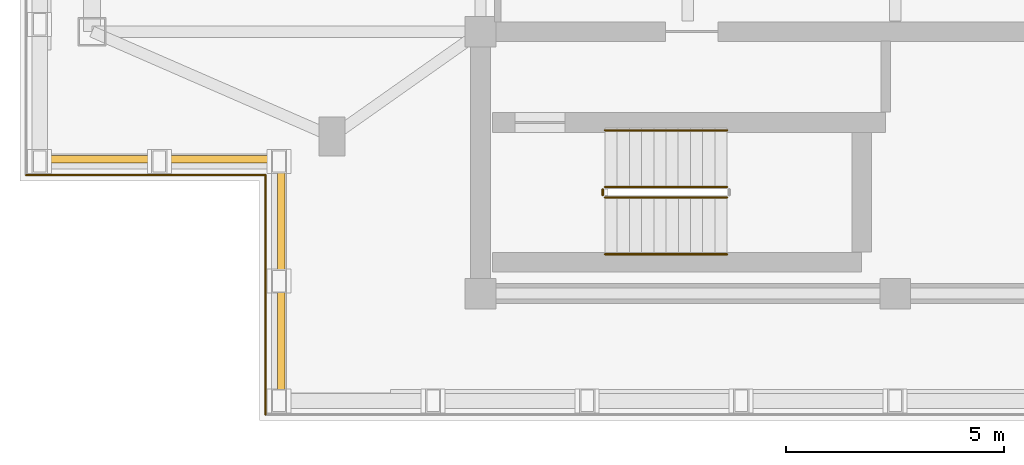
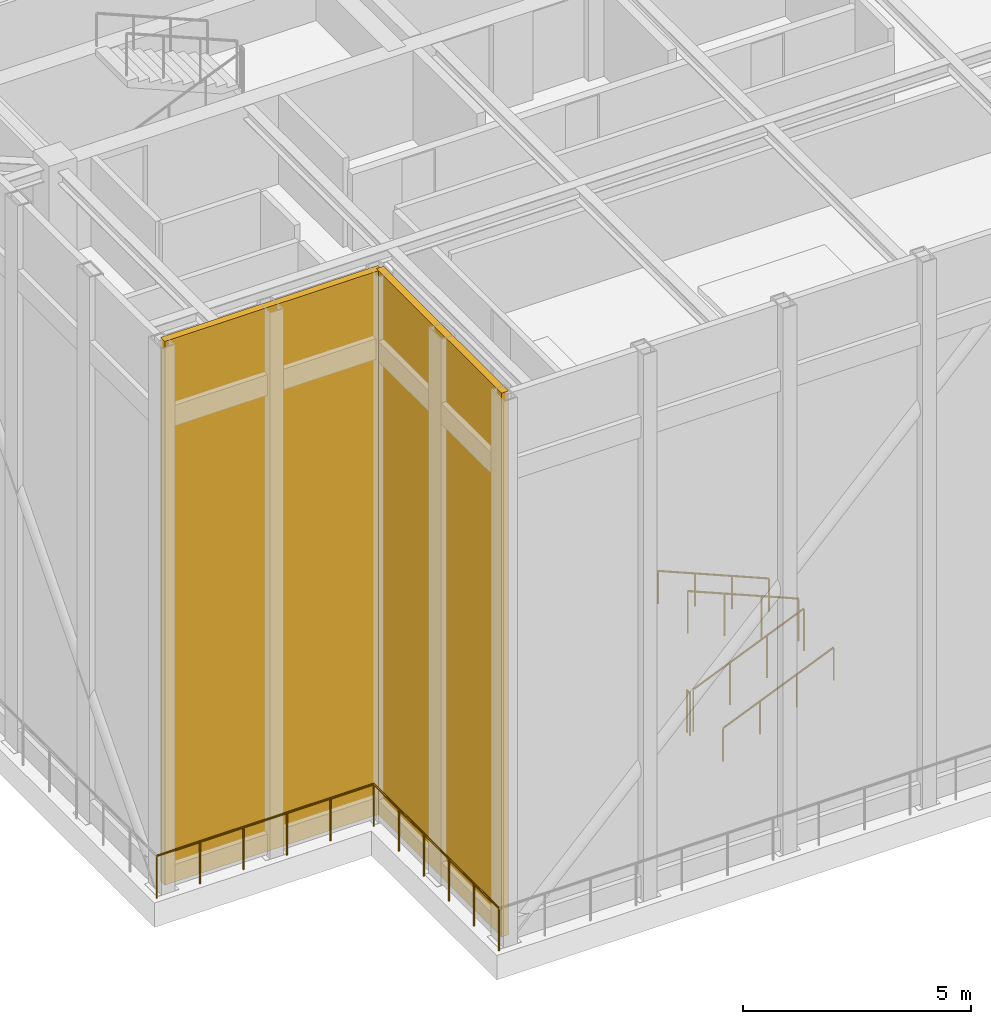
# One storey, part 5 of 8: 7 railings, 2 shading devices.
"""IFC4 building model written with IfcOpenShell, lengths in metres."""

from ifc_helpers import new_model, si_unit, direction, frame, frame_2d, origin, origin_2d, place, context, subcontext, project, spatial, rectangle, circle, extrude, material, layer, layer_set, type_object, element, save


model = new_model("IFC4")

# Units and contexts
model_context = context("Model", 3, precision=1e-05, world=origin(), true_north=direction((0.0, 1.0)))
body_context = subcontext(model_context, "Body", "Model", "MODEL_VIEW")
ifc_project = project(units=[si_unit("LENGTHUNIT", "METRE"), si_unit("AREAUNIT", "SQUARE_METRE"), si_unit("VOLUMEUNIT", "CUBIC_METRE"), si_unit("PLANEANGLEUNIT", "RADIAN"), si_unit("MASSUNIT", "GRAM", prefix="KILO")], contexts=[model_context])

# Site, building, storey
site_placement = place(None, origin())
site = spatial("IfcSite", under=ifc_project, at=site_placement, CompositionType="ELEMENT")
building_placement = place(site_placement, origin())
building = spatial("IfcBuilding", under=site, at=building_placement, Name="Mirazonda Arch Towers", CompositionType="ELEMENT")
storey_placement = place(building_placement, frame((0.0, 0.0, 263.5)))
storey = spatial("IfcBuildingStorey", under=building, at=storey_placement, Name="L75", CompositionType="ELEMENT", Elevation=263.5)

# Railings
ifc_material_1 = material(Name="Architectural Brushed Steel S355", Category="steel")
railing_type_1 = type_object("IfcRailingType", Name="GUARD-EXT-1150", PredefinedType="GUARDRAIL", material=ifc_material_1)
railing_1_placement = place(storey_placement, frame((0.590087890625, 15.114990234375, 0.0)))
element("IfcRailing", 1, at=railing_1_placement, inside=storey, type_object=railing_type_1, Name="L75 L75 Crown Plant Deck Perimeter Guard 11", PredefinedType="GUARDRAIL", context=body_context, shape_type="SweptSolid", body=[
    extrude(circle(Radius=0.02392578125, at=origin_2d()), frame((0.0, 0.0, 1.1259765625), z_axis=(1.0, 0.0, 0.0), x_axis=(0.0, 1.0, 0.0)), (0.0, 0.0, 1.0), 5.48486328125),
    extrude(circle(Radius=0.02099609375, at=origin_2d()), origin(), (0.0, 0.0, 1.0), 1.101806640625),
    extrude(circle(Radius=0.02099609375, at=origin_2d()), frame((1.096923828125, 0.0, 0.0)), (0.0, 0.0, 1.0), 1.101806640625),
    extrude(circle(Radius=0.02099609375, at=origin_2d()), frame((2.19384765625, 0.0, 0.0)), (0.0, 0.0, 1.0), 1.101806640625),
    extrude(circle(Radius=0.02099609375, at=origin_2d()), frame((3.291015625, 0.0, 0.0)), (0.0, 0.0, 1.0), 1.101806640625),
    extrude(circle(Radius=0.02099609375, at=origin_2d()), frame((4.387939453125, 0.0, 0.0)), (0.0, 0.0, 1.0), 1.101806640625),
    extrude(circle(Radius=0.02099609375, at=origin_2d()), frame((5.48486328125, 0.0, 0.0)), (0.0, 0.0, 1.0), 1.101806640625),
])
railing_2_placement = place(storey_placement, frame((6.074951171875, 15.114990234375, 0.0)))
element("IfcRailing", 2, at=railing_2_placement, inside=storey, type_object=railing_type_1, Name="L75 L75 Crown Plant Deck Perimeter Guard 12", PredefinedType="GUARDRAIL", context=body_context, shape_type="SweptSolid", body=[
    extrude(circle(Radius=0.02392578125, at=origin_2d()), frame((0.0, 0.0, 1.1259765625), z_axis=(0.0, -1.0, 0.0), x_axis=(1.0, 0.0, 0.0)), (0.0, 0.0, 1.0), 5.485107421875),
    extrude(circle(Radius=0.02099609375, at=origin_2d()), origin(), (0.0, 0.0, 1.0), 1.101806640625),
    extrude(circle(Radius=0.02099609375, at=origin_2d()), frame((0.0, -1.096923828125, 0.0)), (0.0, 0.0, 1.0), 1.101806640625),
    extrude(circle(Radius=0.02099609375, at=origin_2d()), frame((0.0, -2.194091796875, 0.0)), (0.0, 0.0, 1.0), 1.101806640625),
    extrude(circle(Radius=0.02099609375, at=origin_2d()), frame((0.0, -3.291015625, 0.0)), (0.0, 0.0, 1.0), 1.101806640625),
    extrude(circle(Radius=0.02099609375, at=origin_2d()), frame((0.0, -4.38818359375, 0.0)), (0.0, 0.0, 1.0), 1.101806640625),
    extrude(circle(Radius=0.02099609375, at=origin_2d()), frame((0.0, -5.485107421875, 0.0)), (0.0, 0.0, 1.0), 1.101806640625),
])
railing_type_2 = type_object("IfcRailingType", Name="GUARD-STAIR-1120", PredefinedType="GUARDRAIL", material=ifc_material_1)
railing_3_placement = place(storey_placement, frame((13.85009765625, 14.60009765625, 0.1181640625)))
element("IfcRailing", 3, at=railing_3_placement, inside=storey, type_object=railing_type_2, Name="L75 ST-T1S stair guard 1", PredefinedType="GUARDRAIL", context=body_context, shape_type="SweptSolid", body=[
    extrude(circle(Radius=0.02392578125, at=origin_2d()), frame((0.0, 0.0, 1.1259765625), z_axis=(0.921279625293, 0.0, 0.388900825431), x_axis=(0.0, 1.0, 0.0)), (0.0, 0.0, 1.0), 3.0390625),
    extrude(circle(Radius=0.02099609375, at=origin_2d()), origin(), (0.0, 0.0, 1.0), 1.101806640625),
    extrude(circle(Radius=0.02099609375, at=origin_2d()), frame((0.933349609375, 0.0, 0.39404296875)), (0.0, 0.0, 1.0), 1.101806640625),
    extrude(circle(Radius=0.02099609375, at=origin_2d()), frame((1.866455078125, 0.0, 0.787841796875)), (0.0, 0.0, 1.0), 1.101806640625),
    extrude(circle(Radius=0.02099609375, at=origin_2d()), frame((2.7998046875, 0.0, 1.181884765625)), (0.0, 0.0, 1.0), 1.101806640625),
])
railing_4_placement = place(storey_placement, frame((16.64990234375, 14.840087890625, 1.418212890625)))
element("IfcRailing", 4, at=railing_4_placement, inside=storey, type_object=railing_type_2, Name="L75 ST-T1S stair guard 3", PredefinedType="GUARDRAIL", context=body_context, shape_type="SweptSolid", body=[
    extrude(circle(Radius=0.02392578125, at=origin_2d()), frame((0.0, 0.0, 1.1259765625), z_axis=(-0.921279625293, 0.0, 0.388900825431), x_axis=(0.0, -1.0, 0.0)), (0.0, 0.0, 1.0), 3.0390625),
    extrude(circle(Radius=0.02099609375, at=origin_2d()), origin(), (0.0, 0.0, 1.0), 1.101806640625),
    extrude(circle(Radius=0.02099609375, at=origin_2d()), frame((-0.933349609375, 0.0, 0.39404296875)), (0.0, 0.0, 1.0), 1.101806640625),
    extrude(circle(Radius=0.02099609375, at=origin_2d()), frame((-1.866455078125, 0.0, 0.787841796875)), (0.0, 0.0, 1.0), 1.101806640625),
    extrude(circle(Radius=0.02099609375, at=origin_2d()), frame((-2.7998046875, 0.0, 1.181884765625)), (0.0, 0.0, 1.0), 1.101806640625),
])
railing_5_placement = place(storey_placement, frame((13.800048828125, 14.64990234375, 0.0)))
element("IfcRailing", 5, at=railing_5_placement, inside=storey, type_object=railing_type_2, Name="L75 ST-T1S stair guard 4", PredefinedType="GUARDRAIL", context=body_context, shape_type="SweptSolid", body=[
    extrude(circle(Radius=0.02392578125, at=origin_2d()), frame((0.0, 0.0, 1.1259765625), z_axis=(0.0, 1.0, 0.0), x_axis=(-1.0, 0.0, 0.0)), (0.0, 0.0, 1.0), 0.14013671875),
    extrude(circle(Radius=0.02099609375, at=origin_2d()), origin(), (0.0, 0.0, 1.0), 1.101806640625),
    extrude(circle(Radius=0.02099609375, at=origin_2d()), frame((0.0, 0.14013671875, 0.0)), (0.0, 0.0, 1.0), 1.101806640625),
])
railing_type_3 = type_object("IfcRailingType", Name="HANDRAIL-915", PredefinedType="HANDRAIL", material=ifc_material_1)
railing_6_placement = place(storey_placement, frame((13.85009765625, 13.300048828125, 0.1181640625)))
element("IfcRailing", 6, at=railing_6_placement, inside=storey, type_object=railing_type_3, Name="L75 ST-T1S stair handrail 1", PredefinedType="HANDRAIL", context=body_context, shape_type="SweptSolid", body=[
    extrude(circle(Radius=0.02392578125, at=origin_2d()), frame((0.0, 0.0, 0.8759765625), z_axis=(0.921279625293, 0.0, 0.388900825431), x_axis=(0.0, 1.0, 0.0)), (0.0, 0.0, 1.0), 3.0390625),
    extrude(circle(Radius=0.02099609375, at=origin_2d()), origin(), (0.0, 0.0, 1.0), 0.851806640625),
    extrude(circle(Radius=0.02099609375, at=origin_2d()), frame((0.933349609375, 0.0, 0.39404296875)), (0.0, 0.0, 1.0), 0.851806640625),
    extrude(circle(Radius=0.02099609375, at=origin_2d()), frame((1.866455078125, 0.0, 0.787841796875)), (0.0, 0.0, 1.0), 0.851806640625),
    extrude(circle(Radius=0.02099609375, at=origin_2d()), frame((2.7998046875, 0.0, 1.181884765625)), (0.0, 0.0, 1.0), 0.851806640625),
])
railing_7_placement = place(storey_placement, frame((16.64990234375, 16.139892578125, 1.418212890625)))
element("IfcRailing", 7, at=railing_7_placement, inside=storey, type_object=railing_type_3, Name="L75 ST-T1S stair handrail 2", PredefinedType="HANDRAIL", context=body_context, shape_type="SweptSolid", body=[
    extrude(circle(Radius=0.02392578125, at=origin_2d()), frame((0.0, 0.0, 0.8759765625), z_axis=(-0.921279625293, 0.0, 0.388900825431), x_axis=(0.0, -1.0, 0.0)), (0.0, 0.0, 1.0), 3.0390625),
    extrude(circle(Radius=0.02099609375, at=origin_2d()), origin(), (0.0, 0.0, 1.0), 0.851806640625),
    extrude(circle(Radius=0.02099609375, at=origin_2d()), frame((-0.933349609375, 0.0, 0.39404296875)), (0.0, 0.0, 1.0), 0.851806640625),
    extrude(circle(Radius=0.02099609375, at=origin_2d()), frame((-1.866455078125, 0.0, 0.787841796875)), (0.0, 0.0, 1.0), 0.851806640625),
    extrude(circle(Radius=0.02099609375, at=origin_2d()), frame((-2.7998046875, 0.0, 1.181884765625)), (0.0, 0.0, 1.0), 0.851806640625),
])

# Shading devices
ifc_material_2 = material(Name="Kiln-Fired Architectural Terracotta", Category="masonry")
ifc_layer = layer(ifc_material_2, 0.179931640625, Name="SCREEN-CROWN")
ifc_layer_set = layer_set([ifc_layer], Name="Kiln-Fired Architectural Terracotta")
shading_device_type = type_object("IfcShadingDeviceType", Name="SCREEN-CROWN", PredefinedType="SHUTTER", material=ifc_layer_set)
for number, where, z_axis, x_axis, name in (
    (8, (0.949951171875, 15.47509765625, 0.050048828125), (0.0, 0.0, 1.0), (1.0, 0.0, 0.0), "T1 Constructivist Ring Crown Terracotta Screen E11"),
    (9, (6.43505859375, 15.47509765625, 0.050048828125), (0.0, 0.0, 1.0), (0.0, -1.0, 0.0), "T1 Constructivist Ring Crown Terracotta Screen E12"),
):
    element("IfcShadingDevice", number, at=place(storey_placement, frame(where, z_axis=z_axis, x_axis=x_axis)), inside=storey, type_object=shading_device_type, Name=name, PredefinedType="SHUTTER", context=body_context, shape_type="SweptSolid", body=[
        extrude(rectangle(XDim=5.485107421875, YDim=0.179931640625, at=frame_2d((2.74267578125, 0.0))), origin(), (0.0, 0.0, 1.0), 14.530029296875),
    ])

save(model, "model.ifc")
